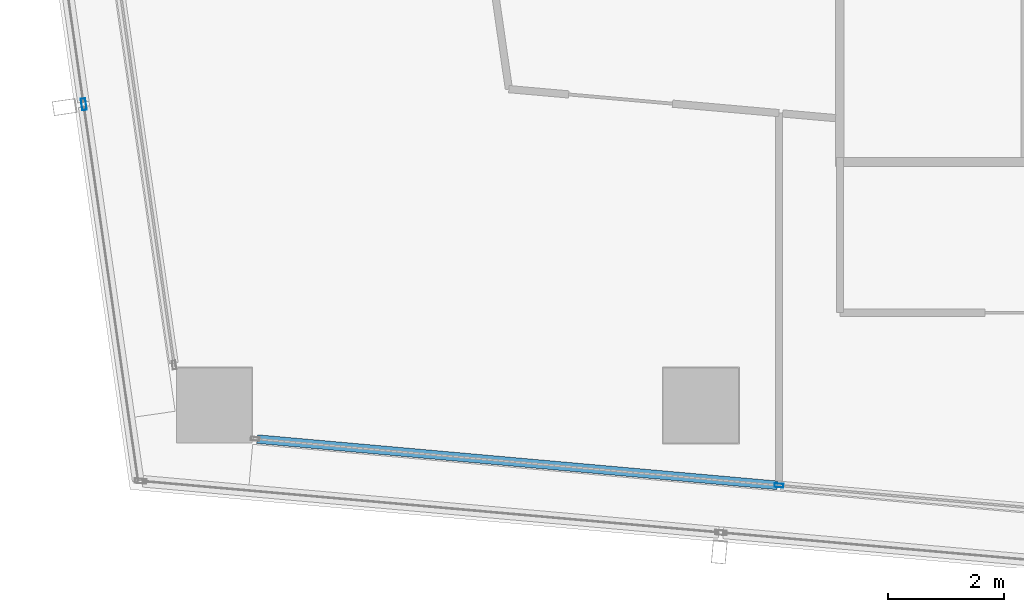
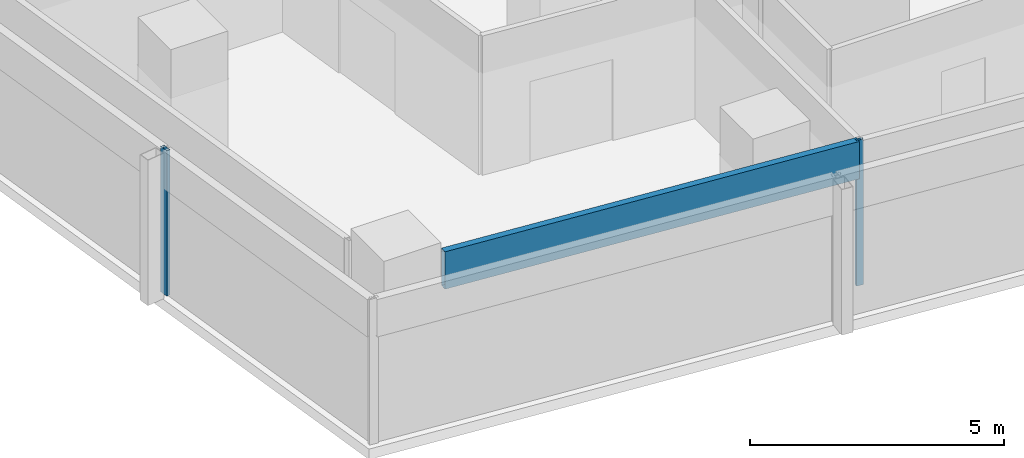
# One storey, part 3 of 26: 3 members, 2 elements without a shape of their own.
"""IFC4 building model written with IfcOpenShell, lengths in metres."""

from ifc_helpers import new_model, si_unit, direction, frame, origin, origin_2d, place, context, subcontext, project, spatial, hollow_rectangle, extrude, material, material_profile, profile_set, type_object, element, aggregate, save


model = new_model("IFC4")

# Units and contexts
model_context = context("Model", 3, precision=1e-05, world=origin(), true_north=direction((0.0, 1.0)))
body_context = subcontext(model_context, "Body", "Model", "MODEL_VIEW")
ifc_project = project(units=[si_unit("LENGTHUNIT", "METRE"), si_unit("AREAUNIT", "SQUARE_METRE"), si_unit("VOLUMEUNIT", "CUBIC_METRE"), si_unit("PLANEANGLEUNIT", "RADIAN"), si_unit("MASSUNIT", "GRAM", prefix="KILO")], contexts=[model_context])

# Site, building, storey
site_placement = place(None, origin())
site = spatial("IfcSite", under=ifc_project, at=site_placement, CompositionType="ELEMENT")
building_placement = place(site_placement, origin())
building = spatial("IfcBuilding", under=site, at=building_placement, Name="Rekha Terrace Tower", CompositionType="ELEMENT")
storey_placement = place(building_placement, frame((0.0, 0.0, 283.85009765625)))
storey = spatial("IfcBuildingStorey", under=building, at=storey_placement, Name="L72", CompositionType="ELEMENT", Elevation=283.85009765625)

# Curtain wall, members
ifc_material_1 = material(Name="Aluminium framing", Category="aluminium")
curtain_wall_type_1 = type_object("IfcCurtainWallType", Name="CW1 double skin inner glazing", PredefinedType="USERDEFINED", material=ifc_material_1)
curtain_wall_1_placement = place(storey_placement, origin())
curtain_wall_1 = element("IfcCurtainWall", 1, at=curtain_wall_1_placement, inside=storey, type_object=curtain_wall_type_1, Name="CW1 double skin inner glazing", ObjectType="DOUBLE SKIN INNER GLAZING", PredefinedType="USERDEFINED")
ifc_material_2 = material(Name="Aluminium mullion section", Category="aluminium")
ifc_material_profile_1 = material_profile(ifc_material_2, hollow_rectangle(XDim=0.06494140625, YDim=0.14990234375, WallThickness=0.00390625, at=origin_2d()), Name="AL RHS 65x150")
ifc_profile_set_1 = profile_set([ifc_material_profile_1], Name="Aluminium mullion section")
member_type_1 = type_object("IfcMemberType", Name="CW1 mullion RHS 65 x 150", PredefinedType="MULLION", material=ifc_profile_set_1)
member_1_placement = place(storey_placement, frame((18.1494140625, 15.4189453125, 0.0), z_axis=(0.0, 0.0, 1.0), x_axis=(0.088522441405, 0.996074182663, 0.0)))
member_1 = element("IfcMember", 2, at=member_1_placement, type_object=member_type_1, Name="CW1 mullion 2", PredefinedType="MULLION", context=body_context, shape_type="SweptSolid", body=[
    extrude(hollow_rectangle(XDim=0.06494140625, YDim=0.14990234375, WallThickness=0.00390625, at=origin_2d()), origin(), (0.0, 0.0, 1.0), 3.5),
])
ifc_material_3 = material(Name="Insulated aluminium spandrel box", Category="aluminium")
ifc_material_profile_2 = material_profile(ifc_material_3, hollow_rectangle(XDim=0.14990234375, YDim=0.89990234375, WallThickness=0.0029296875, at=origin_2d()), Name="AL SPANDREL BOX 150x900")
ifc_profile_set_2 = profile_set([ifc_material_profile_2], Name="Insulated aluminium spandrel box")
member_type_2 = type_object("IfcMemberType", Name="CW1 spandrel transom 150 x 900", PredefinedType="USERDEFINED", material=ifc_profile_set_2)
member_2_placement = place(storey_placement, frame((9.1416015625, 16.219482421875, 3.0498046875), z_axis=(0.996072428294, -0.088542179732, 0.0), x_axis=(0.088542179732, 0.996072428294, 0.0)))
member_2 = element("IfcMember", 3, at=member_2_placement, type_object=member_type_2, Name="CW1 spandrel transom 1", ObjectType="TRANSOM", PredefinedType="USERDEFINED", context=body_context, shape_type="SweptSolid", body=[
    extrude(hollow_rectangle(XDim=0.14990234375, YDim=0.89990234375, WallThickness=0.0029296875, at=origin_2d()), origin(), (0.0, 0.0, 1.0), 9.010986328125),
])
aggregate(curtain_wall_1, [member_1, member_2])

# Curtain wall, member
curtain_wall_type_2 = type_object("IfcCurtainWallType", Name="CW2 double skin outer glazing", PredefinedType="USERDEFINED", material=ifc_material_1)
curtain_wall_2_placement = place(storey_placement, origin())
curtain_wall_2 = element("IfcCurtainWall", 4, at=curtain_wall_2_placement, inside=storey, type_object=curtain_wall_type_2, Name="CW2 double skin outer glazing", ObjectType="DOUBLE SKIN OUTER GLAZING", PredefinedType="USERDEFINED")
ifc_material_profile_3 = material_profile(ifc_material_2, hollow_rectangle(XDim=0.080078125, YDim=0.199951171875, WallThickness=0.00390625, at=origin_2d()), Name="AL RHS 80x200")
ifc_profile_set_3 = profile_set([ifc_material_profile_3], Name="Aluminium mullion section")
member_type_3 = type_object("IfcMemberType", Name="CW2 mullion RHS 80 x 200", PredefinedType="MULLION", material=ifc_profile_set_3)
member_3_placement = place(storey_placement, frame((6.150634765625, 21.99658203125, 0.0), z_axis=(0.0, 0.0, 1.0), x_axis=(0.989707031389, 0.143108322678, 0.0)))
member_3 = element("IfcMember", 5, at=member_3_placement, type_object=member_type_3, Name="CW2 mullion 2", PredefinedType="MULLION", context=body_context, shape_type="SweptSolid", body=[
    extrude(hollow_rectangle(XDim=0.080078125, YDim=0.199951171875, WallThickness=0.00390625, at=origin_2d()), origin(), (0.0, 0.0, 1.0), 3.5),
])
aggregate(curtain_wall_2, [member_3])

save(model, "model.ifc")
